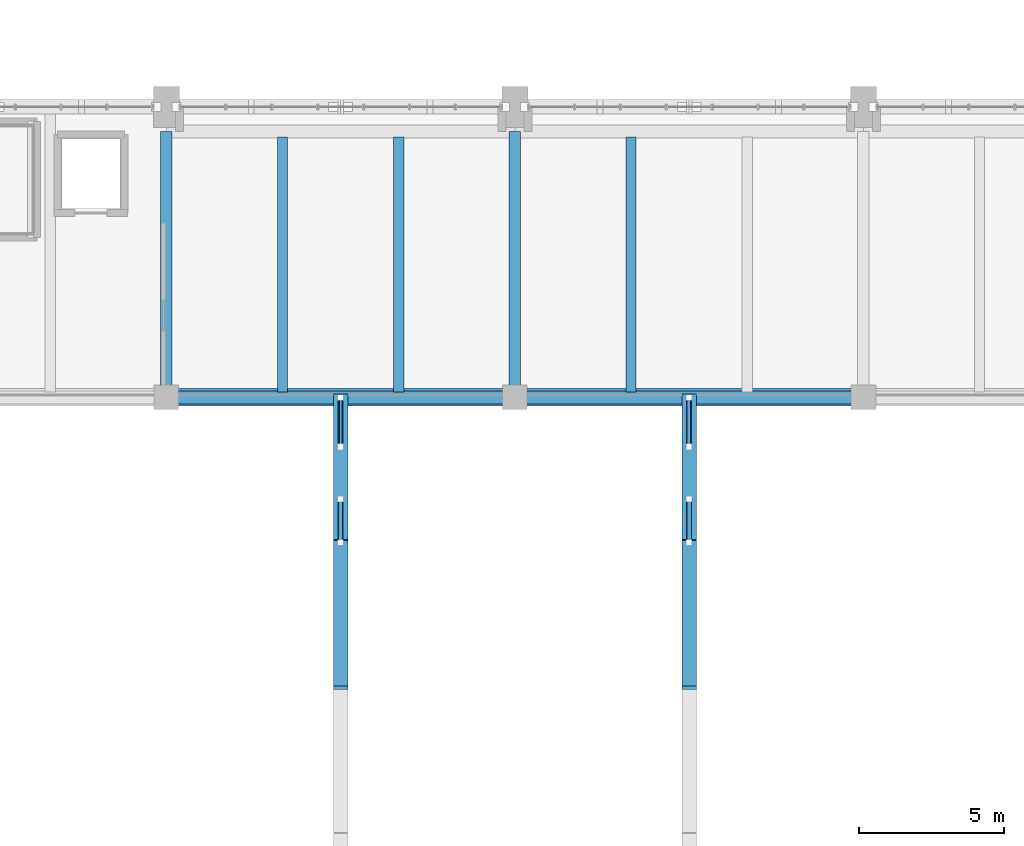
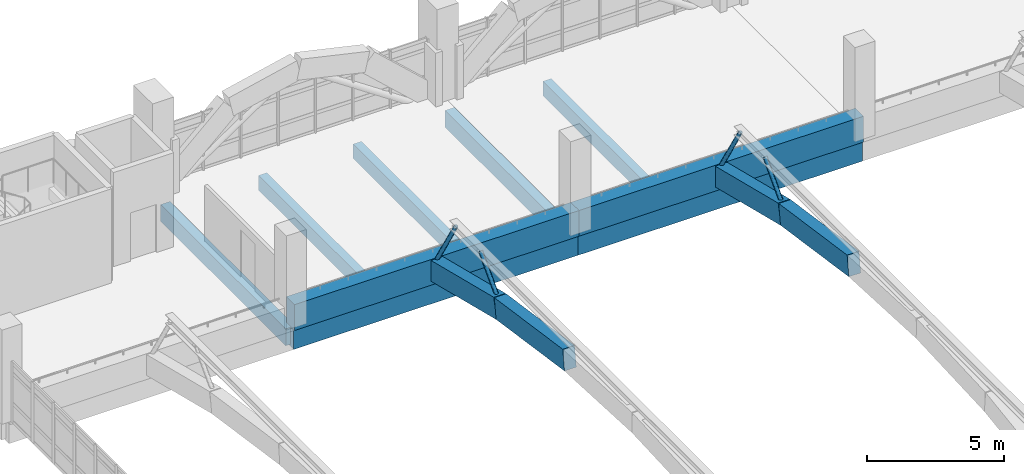
# One storey, part 28 of 161: 13 beams, 4 members.
"""IFC4 building model written with IfcOpenShell, lengths in metres."""

from ifc_helpers import new_model, si_unit, direction, frame, origin, origin_2d, place, context, subcontext, project, spatial, rectangle, hollow_circle, extrude, material, material_profile, profile_set, type_object, element, save


model = new_model("IFC4")

# Units and contexts
model_context = context("Model", 3, precision=1e-05, world=origin(), true_north=direction((0.0, 1.0)))
body_context = subcontext(model_context, "Body", "Model", "MODEL_VIEW")
ifc_project = project(units=[si_unit("LENGTHUNIT", "METRE"), si_unit("AREAUNIT", "SQUARE_METRE"), si_unit("VOLUMEUNIT", "CUBIC_METRE"), si_unit("PLANEANGLEUNIT", "RADIAN"), si_unit("MASSUNIT", "GRAM", prefix="KILO")], contexts=[model_context])

# Site, building, storey
site_placement = place(None, origin())
site = spatial("IfcSite", under=ifc_project, at=site_placement, CompositionType="ELEMENT")
building_placement = place(site_placement, origin())
building = spatial("IfcBuilding", under=site, at=building_placement, Name="Mersad Railyard Sports Hall", CompositionType="ELEMENT")
storey_placement = place(building_placement, frame((0.0, 0.0, 4.800048828125)))
storey = spatial("IfcBuildingStorey", under=building, at=storey_placement, Name="L01", CompositionType="ELEMENT", Elevation=4.800048828125)

# Beams
ifc_material_1 = material(Name="Concrete C40/50", Category="concrete")
ifc_material_profile_1 = material_profile(ifc_material_1, rectangle(XDim=0.39990234375, YDim=0.75, at=origin_2d()), Name="RC 400x750")
ifc_profile_set_1 = profile_set([ifc_material_profile_1], Name="Concrete C40/50")
beam_type_1 = type_object("IfcBeamType", Name="STR-BM-B01", PredefinedType="BEAM", material=ifc_profile_set_1)
for number, where, z_axis, x_axis, name in (
    (1, (19.0, 43.5, -0.655029296875), (0.0, 1.0, 0.0), (-1.0, 0.0, 0.0), "Beam B01-0310"),
    (2, (31.0, 43.5, -0.655029296875), (0.0, 1.0, 0.0), (-1.0, 0.0, 0.0), "Beam B01-0311"),
):
    element("IfcBeam", number, at=place(storey_placement, frame(where, z_axis=z_axis, x_axis=x_axis)), inside=storey, type_object=beam_type_1, Name=name, PredefinedType="BEAM", context=body_context, shape_type="SweptSolid", body=[
        extrude(rectangle(XDim=0.39990234375, YDim=0.75, at=origin_2d()), origin(), (0.0, 0.0, 1.0), 9.14990234375),
    ])
ifc_material_profile_2 = material_profile(ifc_material_1, rectangle(XDim=0.449951171875, YDim=0.85009765625, at=origin_2d()), Name="RC 450x850")
ifc_profile_set_2 = profile_set([ifc_material_profile_2], Name="Concrete C40/50")
beam_type_2 = type_object("IfcBeamType", Name="STR-BM-B02", PredefinedType="BEAM", material=ifc_profile_set_2)
for number, where, z_axis, x_axis, name in (
    (3, (19.0, 43.5, -0.705078125), (1.0, 0.0, 0.0), (0.0, 1.0, 0.0), "Beam B02-0300"),
    (4, (31.0, 43.5, -0.705078125), (1.0, 0.0, 0.0), (0.0, 1.0, 0.0), "Beam B02-0301"),
):
    element("IfcBeam", number, at=place(storey_placement, frame(where, z_axis=z_axis, x_axis=x_axis)), inside=storey, type_object=beam_type_2, Name=name, PredefinedType="BEAM", context=body_context, shape_type="SweptSolid", body=[
        extrude(rectangle(XDim=0.449951171875, YDim=0.85009765625, at=origin_2d()), origin(), (0.0, 0.0, 1.0), 12.0),
    ])
ifc_material_2 = material(Name="Concrete C50/60", Category="concrete")
ifc_material_profile_3 = material_profile(ifc_material_2, rectangle(XDim=0.60009765625, YDim=1.14990234375, at=origin_2d()), Name="RC 600x1150")
ifc_profile_set_3 = profile_set([ifc_material_profile_3], Name="Concrete C50/60")
beam_type_3 = type_object("IfcBeamType", Name="STR-BM-B05", PredefinedType="BEAM", material=ifc_profile_set_3)
for number, where, z_axis, x_axis, name in (
    (5, (19.0, 43.5, 0.33984375), (1.0, 0.0, 0.0), (0.0, 1.0, 0.0), "Beam B05-0513"),
    (6, (31.0, 43.5, 0.33984375), (1.0, 0.0, 0.0), (0.0, 1.0, 0.0), "Beam B05-0521"),
):
    element("IfcBeam", number, at=place(storey_placement, frame(where, z_axis=z_axis, x_axis=x_axis)), inside=storey, type_object=beam_type_3, Name=name, PredefinedType="BEAM", context=body_context, shape_type="SweptSolid", body=[
        extrude(rectangle(XDim=0.60009765625, YDim=1.14990234375, at=origin_2d()), origin(), (0.0, 0.0, 1.0), 12.0),
    ])
ifc_material_profile_4 = material_profile(ifc_material_1, rectangle(XDim=0.35009765625, YDim=0.64990234375, at=origin_2d()), Name="RC 350x650")
ifc_profile_set_4 = profile_set([ifc_material_profile_4], Name="Concrete C40/50")
beam_type_4 = type_object("IfcBeamType", Name="STR-BM-J01", PredefinedType="JOIST", material=ifc_profile_set_4)
for number, where, z_axis, x_axis, name in (
    (7, (23.0, 43.679931640625, -0.60498046875), (0.0, 1.0, 0.0), (-1.0, 0.0, 0.0), "Beam J01-0404"),
    (8, (27.0, 43.679931640625, -0.60498046875), (0.0, 1.0, 0.0), (-1.0, 0.0, 0.0), "Beam J01-0405"),
    (9, (35.0, 43.679931640625, -0.60498046875), (0.0, 1.0, 0.0), (-1.0, 0.0, 0.0), "Beam J01-0406"),
):
    element("IfcBeam", number, at=place(storey_placement, frame(where, z_axis=z_axis, x_axis=x_axis)), inside=storey, type_object=beam_type_4, Name=name, PredefinedType="JOIST", context=body_context, shape_type="SweptSolid", body=[
        extrude(rectangle(XDim=0.35009765625, YDim=0.64990234375, at=origin_2d()), origin(), (0.0, 0.0, 1.0), 8.7900390625),
    ])
ifc_material_3 = material(Name="Architectural concrete C50/60", Category="concrete")
ifc_material_profile_5 = material_profile(ifc_material_3, rectangle(XDim=0.5, YDim=0.89990234375, at=origin_2d()), Name="VR 500x900")
ifc_profile_set_5 = profile_set([ifc_material_profile_5], Name="Architectural concrete C50/60")
beam_type_5 = type_object("IfcBeamType", Name="STR-BM-VR02", PredefinedType="BEAM", material=ifc_profile_set_5)
beam_1_placement = place(storey_placement, frame((25.0, 33.5, 2.30908203125), z_axis=(0.0, 0.989516876333, -0.144417282391), x_axis=(-1.0, 0.0, 0.0)))
element("IfcBeam", 10, at=beam_1_placement, inside=storey, type_object=beam_type_5, Name="Beam VR02-0518", PredefinedType="BEAM", context=body_context, shape_type="SweptSolid", body=[
    extrude(rectangle(XDim=0.5, YDim=0.89990234375, at=origin_2d()), origin(), (0.0, 0.0, 1.0), 5.052978515625),
])
beam_2_placement = place(storey_placement, frame((25.0, 38.5, 1.579345703125), z_axis=(0.0, 0.970609045837, -0.240661754627), x_axis=(-1.0, 0.0, 0.0)))
element("IfcBeam", 11, at=beam_2_placement, inside=storey, type_object=beam_type_5, Name="Beam VR02-0519", PredefinedType="BEAM", context=body_context, shape_type="SweptSolid", body=[
    extrude(rectangle(XDim=0.5, YDim=0.89990234375, at=origin_2d()), origin(), (0.0, 0.0, 1.0), 5.1513671875),
])
beam_3_placement = place(storey_placement, frame((37.0, 33.5, 2.30908203125), z_axis=(0.0, 0.989516876333, -0.144417282391), x_axis=(-1.0, 0.0, 0.0)))
element("IfcBeam", 12, at=beam_3_placement, inside=storey, type_object=beam_type_5, Name="Beam VR02-0526", PredefinedType="BEAM", context=body_context, shape_type="SweptSolid", body=[
    extrude(rectangle(XDim=0.5, YDim=0.89990234375, at=origin_2d()), origin(), (0.0, 0.0, 1.0), 5.052978515625),
])
beam_4_placement = place(storey_placement, frame((37.0, 38.5, 1.579345703125), z_axis=(0.0, 0.970609045837, -0.240661754627), x_axis=(-1.0, 0.0, 0.0)))
element("IfcBeam", 13, at=beam_4_placement, inside=storey, type_object=beam_type_5, Name="Beam VR02-0527", PredefinedType="BEAM", context=body_context, shape_type="SweptSolid", body=[
    extrude(rectangle(XDim=0.5, YDim=0.89990234375, at=origin_2d()), origin(), (0.0, 0.0, 1.0), 5.1513671875),
])

# Members
ifc_material_4 = material(Name="Steel S355", Category="steel")
ifc_material_profile_6 = material_profile(ifc_material_4, hollow_circle(Radius=0.084228515625, WallThickness=0.008056640625, at=origin_2d()), Name="CHS 168.3x8")
ifc_profile_set_6 = profile_set([ifc_material_profile_6], Name="Steel S355")
member_type = type_object("IfcMemberType", Name="STR-MEM-BR03", PredefinedType="BRACE", material=ifc_profile_set_6)
member_1_placement = place(storey_placement, frame((25.0, 43.5, 0.339599609375), z_axis=(0.0, -0.517575030521, 0.855637825123), x_axis=(1.0, 0.0, 0.0)))
element("IfcMember", 14, at=member_1_placement, inside=storey, type_object=member_type, Name="Structural member BR03-0067", PredefinedType="BRACE", context=body_context, shape_type="SweptSolid", body=[
    extrude(hollow_circle(Radius=0.084228515625, WallThickness=0.008056640625, at=origin_2d()), origin(), (0.0, 0.0, 1.0), 3.284423828125),
])
member_2_placement = place(storey_placement, frame((25.0, 38.5, 1.579345703125), z_axis=(0.0, 0.690676243766, 0.723164107446), x_axis=(-1.0, 0.0, 0.0)))
element("IfcMember", 15, at=member_2_placement, inside=storey, type_object=member_type, Name="Structural member BR03-0068", PredefinedType="BRACE", context=body_context, shape_type="SweptSolid", body=[
    extrude(hollow_circle(Radius=0.084228515625, WallThickness=0.008056640625, at=origin_2d()), origin(), (0.0, 0.0, 1.0), 2.171875),
])
member_3_placement = place(storey_placement, frame((37.0, 43.5, 0.339599609375), z_axis=(0.0, -0.517575030521, 0.855637825123), x_axis=(1.0, 0.0, 0.0)))
element("IfcMember", 16, at=member_3_placement, inside=storey, type_object=member_type, Name="Structural member BR03-0072", PredefinedType="BRACE", context=body_context, shape_type="SweptSolid", body=[
    extrude(hollow_circle(Radius=0.084228515625, WallThickness=0.008056640625, at=origin_2d()), origin(), (0.0, 0.0, 1.0), 3.284423828125),
])
member_4_placement = place(storey_placement, frame((37.0, 38.5, 1.579345703125), z_axis=(0.0, 0.690676243766, 0.723164107446), x_axis=(-1.0, 0.0, 0.0)))
element("IfcMember", 17, at=member_4_placement, inside=storey, type_object=member_type, Name="Structural member BR03-0073", PredefinedType="BRACE", context=body_context, shape_type="SweptSolid", body=[
    extrude(hollow_circle(Radius=0.084228515625, WallThickness=0.008056640625, at=origin_2d()), origin(), (0.0, 0.0, 1.0), 2.171875),
])

save(model, "model.ifc")
